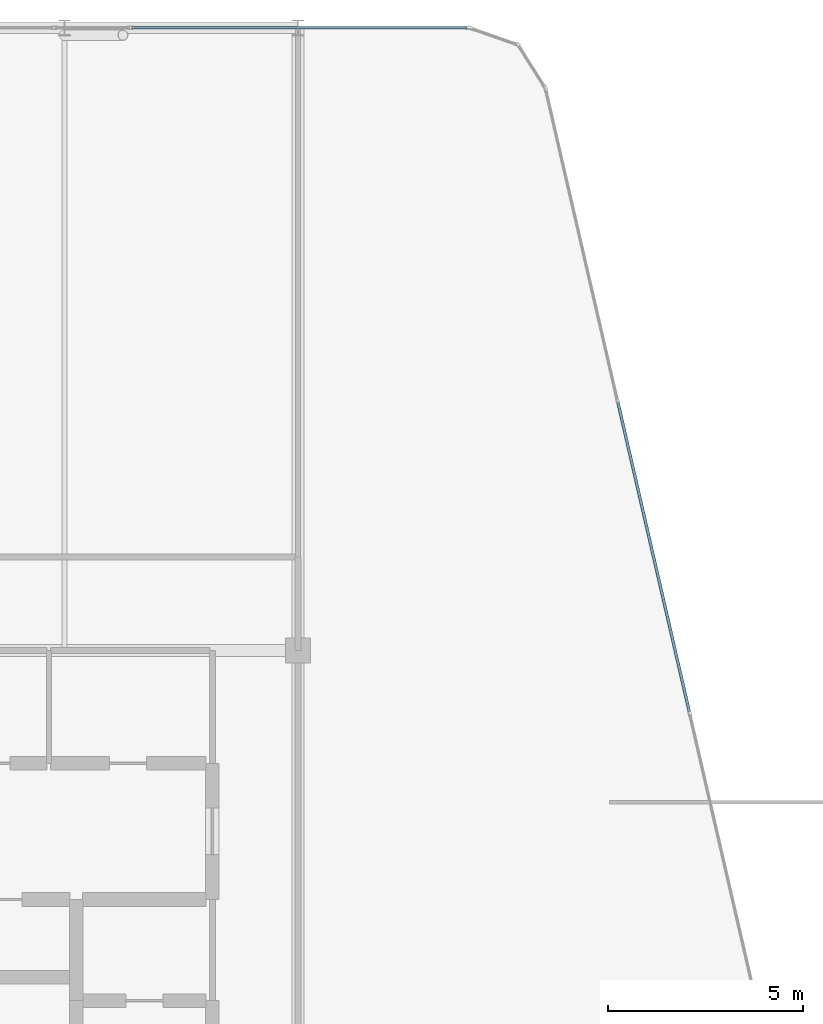
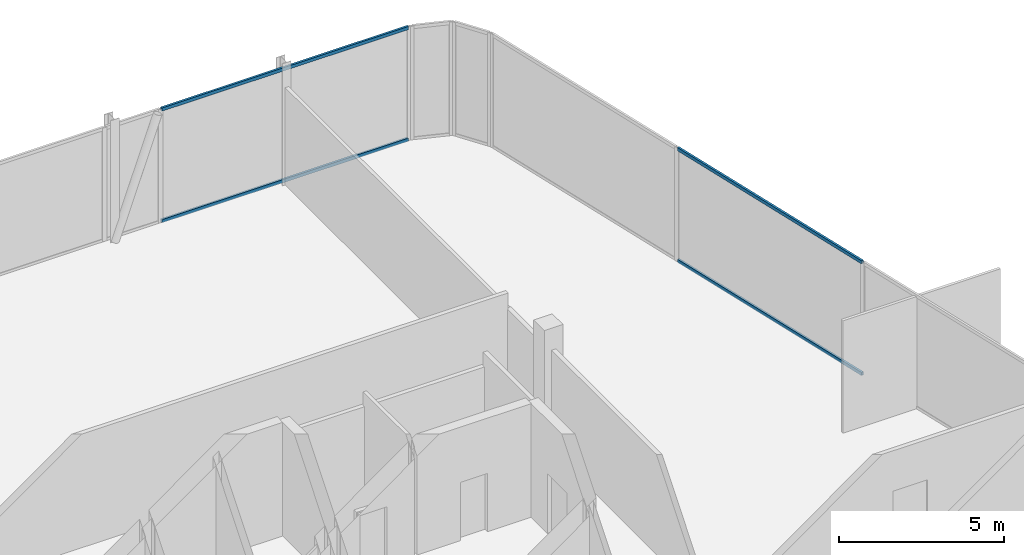
# One storey, part 17 of 24: 4 members, 2 elements without a shape of their own.
"""IFC4 building model written with IfcOpenShell, lengths in metres."""

from ifc_helpers import new_model, si_unit, direction, frame, origin, origin_2d, place, context, subcontext, project, spatial, hollow_rectangle, extrude, material, layer, layer_set, material_profile, profile_set, type_object, element, aggregate, save


model = new_model("IFC4")

# Units and contexts
model_context = context("Model", 3, precision=1e-05, world=origin(), true_north=direction((0.0, 1.0)))
body_context = subcontext(model_context, "Body", "Model", "MODEL_VIEW")
ifc_project = project(units=[si_unit("LENGTHUNIT", "METRE"), si_unit("AREAUNIT", "SQUARE_METRE"), si_unit("VOLUMEUNIT", "CUBIC_METRE"), si_unit("PLANEANGLEUNIT", "RADIAN"), si_unit("MASSUNIT", "GRAM", prefix="KILO")], contexts=[model_context])

# Site, building, storey
site_placement = place(None, origin())
site = spatial("IfcSite", under=ifc_project, at=site_placement, CompositionType="ELEMENT")
building_placement = place(site_placement, origin())
building = spatial("IfcBuilding", under=site, at=building_placement, Name="Keshet Zoharim Tower", CompositionType="ELEMENT")
storey_placement = place(building_placement, frame((0.0, 0.0, 299.10009765625)))
storey = spatial("IfcBuildingStorey", under=building, at=storey_placement, Name="L75", CompositionType="ELEMENT", Elevation=299.10009765625)

# Curtain wall, members
ifc_material = material(Name="Aluminium 6063-T6", Category="aluminium")
ifc_layer = layer(ifc_material, 0.260009765625)
ifc_layer_set = layer_set([ifc_layer], Name="Aluminium 6063-T6")
curtain_wall_type = type_object("IfcCurtainWallType", Name="CW-SYS-06", PredefinedType="NOTDEFINED", material=ifc_layer_set)
curtain_wall_1_placement = place(storey_placement, origin())
curtain_wall_1 = element("IfcCurtainWall", 1, at=curtain_wall_1_placement, inside=storey, type_object=curtain_wall_type, Name="L75 Unitised Curtain Wall 04 Part 5", PredefinedType="NOTDEFINED")
ifc_material_profile = material_profile(ifc_material, hollow_rectangle(XDim=0.074951171875, YDim=0.1201171875, WallThickness=0.00390625, at=origin_2d()), Name="TRN-75x120")
ifc_profile_set = profile_set([ifc_material_profile], Name="Aluminium 6063-T6")
member_type = type_object("IfcMemberType", Name="CWT-T12", PredefinedType="USERDEFINED", material=ifc_profile_set)
member_1_placement = place(storey_placement, frame((28.728515625, 53.89990234375, 0.034912109375), z_axis=(1.0, 0.0, 0.0), x_axis=(0.0, 1.0, 0.0)))
member_1 = element("IfcMember", 2, at=member_1_placement, type_object=member_type, Name="CW-06 transom 1.1", ObjectType="TRANSOM", PredefinedType="USERDEFINED", context=body_context, shape_type="SweptSolid", body=[
    extrude(hollow_rectangle(XDim=0.074951171875, YDim=0.1201171875, WallThickness=0.00390625, at=origin_2d()), origin(), (0.0, 0.0, 1.0), 8.610595703125),
])
member_2_placement = place(storey_placement, frame((28.728515625, 53.89990234375, 4.15478515625), z_axis=(1.0, 0.0, 0.0), x_axis=(0.0, 1.0, 0.0)))
member_2 = element("IfcMember", 3, at=member_2_placement, type_object=member_type, Name="CW-06 transom 1.2", ObjectType="TRANSOM", PredefinedType="USERDEFINED", context=body_context, shape_type="SweptSolid", body=[
    extrude(hollow_rectangle(XDim=0.074951171875, YDim=0.1201171875, WallThickness=0.00390625, at=origin_2d()), origin(), (0.0, 0.0, 1.0), 8.610595703125),
])
aggregate(curtain_wall_1, [member_1, member_2])

curtain_wall_2_placement = place(storey_placement, origin())
curtain_wall_2 = element("IfcCurtainWall", 4, at=curtain_wall_2_placement, inside=storey, type_object=curtain_wall_type, Name="L75 Unitised Curtain Wall 07", PredefinedType="NOTDEFINED")
member_3_placement = place(storey_placement, frame((41.218505859375, 44.28662109375, 0.034912109375), z_axis=(0.224826771459, -0.974398749402, 0.0), x_axis=(0.974398749402, 0.224826771459, 0.0)))
member_3 = element("IfcMember", 5, at=member_3_placement, type_object=member_type, Name="CW-06 transom 2.1", ObjectType="TRANSOM", PredefinedType="USERDEFINED", context=body_context, shape_type="SweptSolid", body=[
    extrude(hollow_rectangle(XDim=0.074951171875, YDim=0.1201171875, WallThickness=0.00390625, at=origin_2d()), origin(), (0.0, 0.0, 1.0), 8.17041015625),
])
member_4_placement = place(storey_placement, frame((41.218505859375, 44.28662109375, 4.15478515625), z_axis=(0.224826771459, -0.974398749402, 0.0), x_axis=(0.974398749402, 0.224826771459, 0.0)))
member_4 = element("IfcMember", 6, at=member_4_placement, type_object=member_type, Name="CW-06 transom 2.2", ObjectType="TRANSOM", PredefinedType="USERDEFINED", context=body_context, shape_type="SweptSolid", body=[
    extrude(hollow_rectangle(XDim=0.074951171875, YDim=0.1201171875, WallThickness=0.00390625, at=origin_2d()), origin(), (0.0, 0.0, 1.0), 8.17041015625),
])
aggregate(curtain_wall_2, [member_3, member_4])

save(model, "model.ifc")
